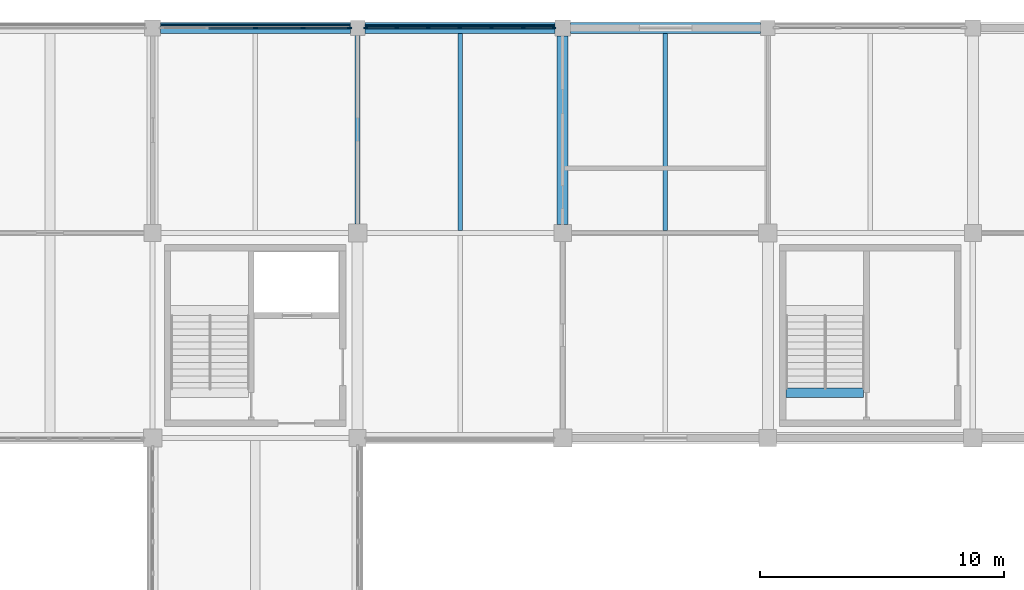
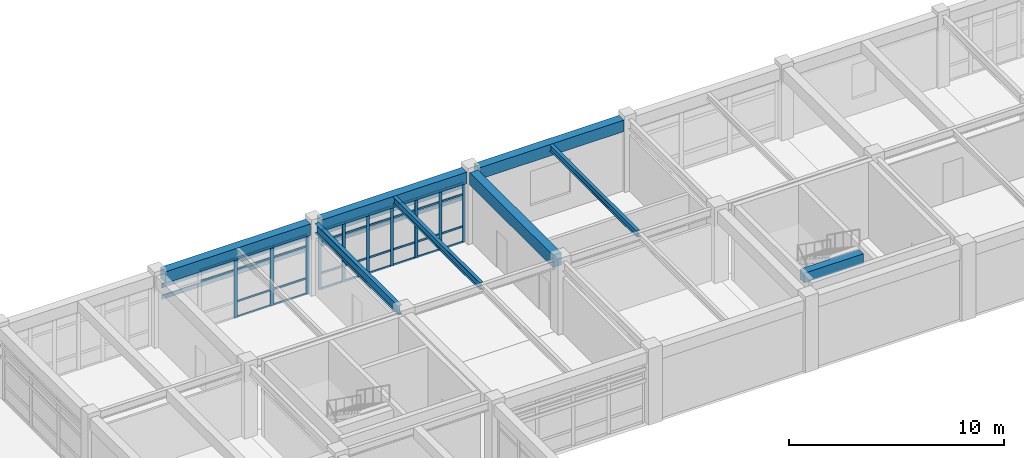
# One storey, part 14 of 40: 48 members, 8 beams, 2 elements without a shape of their own.
"""IFC4 building model written with IfcOpenShell, lengths in metres."""

from ifc_helpers import new_model, si_unit, direction, frame, origin, origin_2d, place, context, subcontext, project, spatial, rectangle, i_section, extrude, material, layer, layer_set, material_profile, profile_set, type_object, element, aggregate, save


model = new_model("IFC4")

# Units and contexts
model_context = context("Model", 3, precision=1e-05, world=origin(), true_north=direction((0.0, 1.0)))
body_context = subcontext(model_context, "Body", "Model", "MODEL_VIEW")
ifc_project = project(units=[si_unit("LENGTHUNIT", "METRE"), si_unit("AREAUNIT", "SQUARE_METRE"), si_unit("VOLUMEUNIT", "CUBIC_METRE"), si_unit("PLANEANGLEUNIT", "RADIAN"), si_unit("MASSUNIT", "GRAM", prefix="KILO")], contexts=[model_context])

# Site, building, storey
site_placement = place(None, origin())
site = spatial("IfcSite", under=ifc_project, at=site_placement, CompositionType="ELEMENT")
building_placement = place(site_placement, origin())
building = spatial("IfcBuilding", under=site, at=building_placement, Name="Porcellanite Civic Hall", CompositionType="ELEMENT")
storey_placement = place(building_placement, frame((0.0, 0.0, 19.080078125)))
storey = spatial("IfcBuildingStorey", under=building, at=storey_placement, Name="L04", CompositionType="ELEMENT", Elevation=19.080078125)

# Beams
ifc_material_1 = material(Name="Concrete N50 (50 MPa)", Category="concrete")
ifc_material_profile_1 = material_profile(ifc_material_1, rectangle(XDim=0.39990234375, YDim=0.550048828125, at=origin_2d()), Name="RC-400x550")
ifc_profile_set_1 = profile_set([ifc_material_profile_1], Name="Concrete N50 (50 MPa)")
beam_type_1 = type_object("IfcBeamType", Name="BM-RC550", PredefinedType="JOIST", material=ifc_profile_set_1)
beam_1_placement = place(storey_placement, frame((76.340576171875, 102.64990234375, 3.794921875), z_axis=(1.0, 0.0, 0.0), x_axis=(0.0, 1.0, 0.0)))
element("IfcBeam", 1, at=beam_1_placement, inside=storey, type_object=beam_type_1, Name="Stair header beam S9 L04", PredefinedType="JOIST", context=body_context, shape_type="SweptSolid", body=[
    extrude(rectangle(XDim=0.39990234375, YDim=0.550048828125, at=origin_2d()), origin(), (0.0, 0.0, 1.0), 3.178955078125),
])
ifc_material_2 = material(Name="Concrete N50 (50 MPa)", Category="concrete")
ifc_material_profile_2 = material_profile(ifc_material_2, rectangle(XDim=0.449951171875, YDim=0.64990234375, at=origin_2d()), Name="RC-450x650")
ifc_profile_set_2 = profile_set([ifc_material_profile_2], Name="Concrete N50 (50 MPa)")
beam_type_2 = type_object("IfcBeamType", Name="BM-RC650", PredefinedType="SPANDREL", material=ifc_profile_set_2)
for number, where, z_axis, x_axis, name in (
    (2, (50.724609375, 117.60009765625, 3.744873046875), (1.0, 0.0, 0.0), (0.0, 1.0, 0.0), "Beam X L04 7-15"),
    (3, (59.099609375, 117.60009765625, 3.744873046875), (1.0, 0.0, 0.0), (0.0, 1.0, 0.0), "Beam X L04 8-15"),
):
    element("IfcBeam", number, at=place(storey_placement, frame(where, z_axis=z_axis, x_axis=x_axis)), inside=storey, type_object=beam_type_2, Name=name, PredefinedType="SPANDREL", context=body_context, shape_type="SweptSolid", body=[
        extrude(rectangle(XDim=0.449951171875, YDim=0.64990234375, at=origin_2d()), origin(), (0.0, 0.0, 1.0), 7.77587890625),
    ])
beam_2_placement = place(storey_placement, frame((67.5244140625, 117.60009765625, 3.744873046875), z_axis=(1.0, 0.0, 0.0), x_axis=(0.0, 1.0, 0.0)))
element("IfcBeam", 4, at=beam_2_placement, inside=storey, type_object=beam_type_2, Name="Beam X L04 9-15", PredefinedType="SPANDREL", context=body_context, shape_type="SweptSolid", body=[
    extrude(rectangle(XDim=0.449951171875, YDim=0.64990234375, at=origin_2d()), origin(), (0.0, 0.0, 1.0), 7.776123046875),
])
ifc_material_3 = material(Name="Concrete N50 (50 MPa)", Category="concrete")
ifc_material_profile_3 = material_profile(ifc_material_3, rectangle(XDim=0.449951171875, YDim=0.699951171875, at=origin_2d()), Name="RC-450x700")
ifc_profile_set_3 = profile_set([ifc_material_profile_3], Name="Concrete N50 (50 MPa)")
beam_type_3 = type_object("IfcBeamType", Name="BM-RC700", PredefinedType="BEAM", material=ifc_profile_set_3)
beam_3_placement = place(storey_placement, frame((67.199951171875, 109.549560546875, 3.719970703125), z_axis=(0.0, 1.0, 0.0), x_axis=(-1.0, 0.0, 0.0)))
element("IfcBeam", 5, at=beam_3_placement, inside=storey, type_object=beam_type_3, Name="Beam Y L04 9-14", PredefinedType="BEAM", context=body_context, shape_type="SweptSolid", body=[
    extrude(rectangle(XDim=0.449951171875, YDim=0.699951171875, at=origin_2d()), origin(), (0.0, 0.0, 1.0), 7.725830078125),
])

# Curtain wall, members
ifc_material_4 = material(Name="Anodised aluminium and solar laminated glass", Category="aluminium")
ifc_layer_1 = layer(ifc_material_4, 0.179931640625)
ifc_layer_set_1 = layer_set([ifc_layer_1], Name="Anodised aluminium and solar laminated glass")
curtain_wall_type_1 = type_object("IfcCurtainWallType", Name="CW-SYS04", PredefinedType="NOTDEFINED", material=ifc_layer_set_1)
curtain_wall_1_placement = place(storey_placement, origin())
curtain_wall_1 = element("IfcCurtainWall", 6, at=curtain_wall_1_placement, inside=storey, type_object=curtain_wall_type_1, Name="Curtain wall CW-247", PredefinedType="NOTDEFINED")
ifc_material_5 = material(Name="Anodised aluminium 6063-T6", Category="aluminium")
ifc_material_profile_4 = material_profile(ifc_material_5, rectangle(XDim=0.074951171875, YDim=0.18994140625, at=origin_2d()), Name="AL-75x190")
ifc_profile_set_4 = profile_set([ifc_material_profile_4], Name="Anodised aluminium 6063-T6")
member_type_1 = type_object("IfcMemberType", Name="CWM-04", PredefinedType="MULLION", material=ifc_profile_set_4)
member_1_placement = place(storey_placement, frame((54.612548828125, 117.60009765625, 0.0), z_axis=(0.0, 0.0, 1.0), x_axis=(0.0, 1.0, 0.0)))
member_1 = element("IfcMember", 7, at=member_1_placement, type_object=member_type_1, Name="CW-247 mullion 3", PredefinedType="MULLION", context=body_context, shape_type="SweptSolid", body=[
    extrude(rectangle(XDim=0.074951171875, YDim=0.18994140625, at=origin_2d()), origin(), (0.0, 0.0, 1.0), 3.369873046875),
])
member_2_placement = place(storey_placement, frame((56.5556640625, 117.60009765625, 0.0), z_axis=(0.0, 0.0, 1.0), x_axis=(0.0, 1.0, 0.0)))
member_2 = element("IfcMember", 8, at=member_2_placement, type_object=member_type_1, Name="CW-247 mullion 4", PredefinedType="MULLION", context=body_context, shape_type="SweptSolid", body=[
    extrude(rectangle(XDim=0.074951171875, YDim=0.18994140625, at=origin_2d()), origin(), (0.0, 0.0, 1.0), 3.369873046875),
])
member_3_placement = place(storey_placement, frame((58.46142578125, 117.60009765625, 0.0), z_axis=(0.0, 0.0, 1.0), x_axis=(0.0, 1.0, 0.0)))
member_3 = element("IfcMember", 9, at=member_3_placement, type_object=member_type_1, Name="CW-247 mullion 5", PredefinedType="MULLION", context=body_context, shape_type="SweptSolid", body=[
    extrude(rectangle(XDim=0.074951171875, YDim=0.18994140625, at=origin_2d()), origin(), (0.0, 0.0, 1.0), 3.369873046875),
])

ifc_material_6 = material(Name="Anodised aluminium and solar laminated glass", Category="aluminium")
ifc_layer_2 = layer(ifc_material_6, 0.179931640625)
ifc_layer_set_2 = layer_set([ifc_layer_2], Name="Anodised aluminium and solar laminated glass")
curtain_wall_type_2 = type_object("IfcCurtainWallType", Name="CW-SYS07", PredefinedType="NOTDEFINED", material=ifc_layer_set_2)
curtain_wall_2_placement = place(storey_placement, origin())
curtain_wall_2 = element("IfcCurtainWall", 10, at=curtain_wall_2_placement, inside=storey, type_object=curtain_wall_type_2, Name="Curtain wall CW-249", PredefinedType="NOTDEFINED")
ifc_material_7 = material(Name="Anodised aluminium 6063-T6", Category="aluminium")
ifc_material_profile_5 = material_profile(ifc_material_7, rectangle(XDim=0.06005859375, YDim=0.159912109375, at=origin_2d()), Name="AL-60x160")
ifc_profile_set_5 = profile_set([ifc_material_profile_5], Name="Anodised aluminium 6063-T6")
member_type_2 = type_object("IfcMemberType", Name="CWM-07", PredefinedType="MULLION", material=ifc_profile_set_5)
member_4_placement = place(storey_placement, frame((59.131103515625, 117.60009765625, 0.0), z_axis=(0.0, 0.0, 1.0), x_axis=(0.0, 1.0, 0.0)))
member_4 = element("IfcMember", 11, at=member_4_placement, type_object=member_type_2, Name="CW-249 mullion 1", PredefinedType="MULLION", context=body_context, shape_type="SweptSolid", body=[
    extrude(rectangle(XDim=0.06005859375, YDim=0.159912109375, at=origin_2d()), origin(), (0.0, 0.0, 1.0), 3.369873046875),
])
member_5_placement = place(storey_placement, frame((60.396484375, 117.60009765625, 0.0), z_axis=(0.0, 0.0, 1.0), x_axis=(0.0, 1.0, 0.0)))
member_5 = element("IfcMember", 12, at=member_5_placement, type_object=member_type_2, Name="CW-249 mullion 2", PredefinedType="MULLION", context=body_context, shape_type="SweptSolid", body=[
    extrude(rectangle(XDim=0.06005859375, YDim=0.159912109375, at=origin_2d()), origin(), (0.0, 0.0, 1.0), 3.369873046875),
])
member_6_placement = place(storey_placement, frame((61.69189453125, 117.60009765625, 0.0), z_axis=(0.0, 0.0, 1.0), x_axis=(0.0, 1.0, 0.0)))
member_6 = element("IfcMember", 13, at=member_6_placement, type_object=member_type_2, Name="CW-249 mullion 3", PredefinedType="MULLION", context=body_context, shape_type="SweptSolid", body=[
    extrude(rectangle(XDim=0.06005859375, YDim=0.159912109375, at=origin_2d()), origin(), (0.0, 0.0, 1.0), 3.369873046875),
])
member_7_placement = place(storey_placement, frame((62.987548828125, 117.60009765625, 0.0), z_axis=(0.0, 0.0, 1.0), x_axis=(0.0, 1.0, 0.0)))
member_7 = element("IfcMember", 14, at=member_7_placement, type_object=member_type_2, Name="CW-249 mullion 4", PredefinedType="MULLION", context=body_context, shape_type="SweptSolid", body=[
    extrude(rectangle(XDim=0.06005859375, YDim=0.159912109375, at=origin_2d()), origin(), (0.0, 0.0, 1.0), 3.369873046875),
])
member_8_placement = place(storey_placement, frame((64.282958984375, 117.60009765625, 0.0), z_axis=(0.0, 0.0, 1.0), x_axis=(0.0, 1.0, 0.0)))
member_8 = element("IfcMember", 15, at=member_8_placement, type_object=member_type_2, Name="CW-249 mullion 5", PredefinedType="MULLION", context=body_context, shape_type="SweptSolid", body=[
    extrude(rectangle(XDim=0.06005859375, YDim=0.159912109375, at=origin_2d()), origin(), (0.0, 0.0, 1.0), 3.369873046875),
])
member_9_placement = place(storey_placement, frame((65.57861328125, 117.60009765625, 0.0), z_axis=(0.0, 0.0, 1.0), x_axis=(0.0, 1.0, 0.0)))
member_9 = element("IfcMember", 16, at=member_9_placement, type_object=member_type_2, Name="CW-249 mullion 6", PredefinedType="MULLION", context=body_context, shape_type="SweptSolid", body=[
    extrude(rectangle(XDim=0.06005859375, YDim=0.159912109375, at=origin_2d()), origin(), (0.0, 0.0, 1.0), 3.369873046875),
])
member_10_placement = place(storey_placement, frame((66.843994140625, 117.60009765625, 0.0), z_axis=(0.0, 0.0, 1.0), x_axis=(0.0, 1.0, 0.0)))
member_10 = element("IfcMember", 17, at=member_10_placement, type_object=member_type_2, Name="CW-249 mullion 7", PredefinedType="MULLION", context=body_context, shape_type="SweptSolid", body=[
    extrude(rectangle(XDim=0.06005859375, YDim=0.159912109375, at=origin_2d()), origin(), (0.0, 0.0, 1.0), 3.369873046875),
])

# Member
ifc_material_8 = material(Name="Anodised aluminium 6063-T6", Category="aluminium")
ifc_material_profile_6 = material_profile(ifc_material_8, rectangle(XDim=0.054931640625, YDim=0.10009765625, at=origin_2d()), Name="AL-55x100")
ifc_profile_set_6 = profile_set([ifc_material_profile_6], Name="Anodised aluminium 6063-T6")
member_type_3 = type_object("IfcMemberType", Name="CWT-05", PredefinedType="USERDEFINED", material=ifc_profile_set_6)
member_11_placement = place(storey_placement, frame((52.706787109375, 117.60009765625, 2.719970703125), z_axis=(1.0, 0.0, 0.0), x_axis=(0.0, 1.0, 0.0)))
member_11 = element("IfcMember", 18, at=member_11_placement, type_object=member_type_3, Name="CW-247 transom 2.3", ObjectType="TRANSOM", PredefinedType="USERDEFINED", context=body_context, shape_type="SweptSolid", body=[
    extrude(rectangle(XDim=0.054931640625, YDim=0.10009765625, at=origin_2d()), origin(), (0.0, 0.0, 1.0), 1.8681640625),
])

member_12_placement = place(storey_placement, frame((52.706787109375, 117.60009765625, 3.342529296875), z_axis=(1.0, 0.0, 0.0), x_axis=(0.0, 1.0, 0.0)))
member_12 = element("IfcMember", 19, at=member_12_placement, type_object=member_type_3, Name="CW-247 transom 2.4", ObjectType="TRANSOM", PredefinedType="USERDEFINED", context=body_context, shape_type="SweptSolid", body=[
    extrude(rectangle(XDim=0.054931640625, YDim=0.10009765625, at=origin_2d()), origin(), (0.0, 0.0, 1.0), 1.8681640625),
])

member_13_placement = place(storey_placement, frame((54.64990234375, 117.60009765625, 0.02734375), z_axis=(1.0, 0.0, 0.0), x_axis=(0.0, 1.0, 0.0)))
member_13 = element("IfcMember", 20, at=member_13_placement, type_object=member_type_3, Name="CW-247 transom 3.1", ObjectType="TRANSOM", PredefinedType="USERDEFINED", context=body_context, shape_type="SweptSolid", body=[
    extrude(rectangle(XDim=0.054931640625, YDim=0.10009765625, at=origin_2d()), origin(), (0.0, 0.0, 1.0), 1.868408203125),
])

member_14_placement = place(storey_placement, frame((54.64990234375, 117.60009765625, 0.89990234375), z_axis=(1.0, 0.0, 0.0), x_axis=(0.0, 1.0, 0.0)))
member_14 = element("IfcMember", 21, at=member_14_placement, type_object=member_type_3, Name="CW-247 transom 3.2", ObjectType="TRANSOM", PredefinedType="USERDEFINED", context=body_context, shape_type="SweptSolid", body=[
    extrude(rectangle(XDim=0.054931640625, YDim=0.10009765625, at=origin_2d()), origin(), (0.0, 0.0, 1.0), 1.868408203125),
])

member_15_placement = place(storey_placement, frame((54.64990234375, 117.60009765625, 2.719970703125), z_axis=(1.0, 0.0, 0.0), x_axis=(0.0, 1.0, 0.0)))
member_15 = element("IfcMember", 22, at=member_15_placement, type_object=member_type_3, Name="CW-247 transom 3.3", ObjectType="TRANSOM", PredefinedType="USERDEFINED", context=body_context, shape_type="SweptSolid", body=[
    extrude(rectangle(XDim=0.054931640625, YDim=0.10009765625, at=origin_2d()), origin(), (0.0, 0.0, 1.0), 1.868408203125),
])

member_16_placement = place(storey_placement, frame((54.64990234375, 117.60009765625, 3.342529296875), z_axis=(1.0, 0.0, 0.0), x_axis=(0.0, 1.0, 0.0)))
member_16 = element("IfcMember", 23, at=member_16_placement, type_object=member_type_3, Name="CW-247 transom 3.4", ObjectType="TRANSOM", PredefinedType="USERDEFINED", context=body_context, shape_type="SweptSolid", body=[
    extrude(rectangle(XDim=0.054931640625, YDim=0.10009765625, at=origin_2d()), origin(), (0.0, 0.0, 1.0), 1.868408203125),
])

member_17_placement = place(storey_placement, frame((56.59326171875, 117.60009765625, 0.02734375), z_axis=(1.0, 0.0, 0.0), x_axis=(0.0, 1.0, 0.0)))
member_17 = element("IfcMember", 24, at=member_17_placement, type_object=member_type_3, Name="CW-247 transom 4.1", ObjectType="TRANSOM", PredefinedType="USERDEFINED", context=body_context, shape_type="SweptSolid", body=[
    extrude(rectangle(XDim=0.054931640625, YDim=0.10009765625, at=origin_2d()), origin(), (0.0, 0.0, 1.0), 1.830810546875),
])

member_18_placement = place(storey_placement, frame((56.59326171875, 117.60009765625, 0.89990234375), z_axis=(1.0, 0.0, 0.0), x_axis=(0.0, 1.0, 0.0)))
member_18 = element("IfcMember", 25, at=member_18_placement, type_object=member_type_3, Name="CW-247 transom 4.2", ObjectType="TRANSOM", PredefinedType="USERDEFINED", context=body_context, shape_type="SweptSolid", body=[
    extrude(rectangle(XDim=0.054931640625, YDim=0.10009765625, at=origin_2d()), origin(), (0.0, 0.0, 1.0), 1.830810546875),
])

member_19_placement = place(storey_placement, frame((56.59326171875, 117.60009765625, 2.719970703125), z_axis=(1.0, 0.0, 0.0), x_axis=(0.0, 1.0, 0.0)))
member_19 = element("IfcMember", 26, at=member_19_placement, type_object=member_type_3, Name="CW-247 transom 4.3", ObjectType="TRANSOM", PredefinedType="USERDEFINED", context=body_context, shape_type="SweptSolid", body=[
    extrude(rectangle(XDim=0.054931640625, YDim=0.10009765625, at=origin_2d()), origin(), (0.0, 0.0, 1.0), 1.830810546875),
])

member_20_placement = place(storey_placement, frame((56.59326171875, 117.60009765625, 3.342529296875), z_axis=(1.0, 0.0, 0.0), x_axis=(0.0, 1.0, 0.0)))
member_20 = element("IfcMember", 27, at=member_20_placement, type_object=member_type_3, Name="CW-247 transom 4.4", ObjectType="TRANSOM", PredefinedType="USERDEFINED", context=body_context, shape_type="SweptSolid", body=[
    extrude(rectangle(XDim=0.054931640625, YDim=0.10009765625, at=origin_2d()), origin(), (0.0, 0.0, 1.0), 1.830810546875),
])

aggregate(curtain_wall_1, [member_1, member_2, member_3, member_11, member_12, member_13, member_14, member_15, member_16, member_17, member_18, member_19, member_20])

ifc_material_9 = material(Name="Anodised aluminium 6063-T6", Category="aluminium")
ifc_material_profile_7 = material_profile(ifc_material_9, rectangle(XDim=0.050048828125, YDim=0.110107421875, at=origin_2d()), Name="AL-50x110")
ifc_profile_set_7 = profile_set([ifc_material_profile_7], Name="Anodised aluminium 6063-T6")
member_type_4 = type_object("IfcMemberType", Name="CWT-07", PredefinedType="USERDEFINED", material=ifc_profile_set_7)
member_21_placement = place(storey_placement, frame((59.160888671875, 117.60009765625, 0.02490234375), z_axis=(1.0, 0.0, 0.0), x_axis=(0.0, 1.0, 0.0)))
member_21 = element("IfcMember", 28, at=member_21_placement, type_object=member_type_4, Name="CW-249 transom 1.1", ObjectType="TRANSOM", PredefinedType="USERDEFINED", context=body_context, shape_type="SweptSolid", body=[
    extrude(rectangle(XDim=0.050048828125, YDim=0.110107421875, at=origin_2d()), origin(), (0.0, 0.0, 1.0), 1.20556640625),
])

member_22_placement = place(storey_placement, frame((59.160888671875, 117.60009765625, 0.89990234375), z_axis=(1.0, 0.0, 0.0), x_axis=(0.0, 1.0, 0.0)))
member_22 = element("IfcMember", 29, at=member_22_placement, type_object=member_type_4, Name="CW-249 transom 1.2", ObjectType="TRANSOM", PredefinedType="USERDEFINED", context=body_context, shape_type="SweptSolid", body=[
    extrude(rectangle(XDim=0.050048828125, YDim=0.110107421875, at=origin_2d()), origin(), (0.0, 0.0, 1.0), 1.20556640625),
])

member_23_placement = place(storey_placement, frame((59.160888671875, 117.60009765625, 2.719970703125), z_axis=(1.0, 0.0, 0.0), x_axis=(0.0, 1.0, 0.0)))
member_23 = element("IfcMember", 30, at=member_23_placement, type_object=member_type_4, Name="CW-249 transom 1.3", ObjectType="TRANSOM", PredefinedType="USERDEFINED", context=body_context, shape_type="SweptSolid", body=[
    extrude(rectangle(XDim=0.050048828125, YDim=0.110107421875, at=origin_2d()), origin(), (0.0, 0.0, 1.0), 1.20556640625),
])

member_24_placement = place(storey_placement, frame((59.160888671875, 117.60009765625, 3.344970703125), z_axis=(1.0, 0.0, 0.0), x_axis=(0.0, 1.0, 0.0)))
member_24 = element("IfcMember", 31, at=member_24_placement, type_object=member_type_4, Name="CW-249 transom 1.4", ObjectType="TRANSOM", PredefinedType="USERDEFINED", context=body_context, shape_type="SweptSolid", body=[
    extrude(rectangle(XDim=0.050048828125, YDim=0.110107421875, at=origin_2d()), origin(), (0.0, 0.0, 1.0), 1.20556640625),
])

member_25_placement = place(storey_placement, frame((60.426513671875, 117.60009765625, 0.02490234375), z_axis=(1.0, 0.0, 0.0), x_axis=(0.0, 1.0, 0.0)))
member_25 = element("IfcMember", 32, at=member_25_placement, type_object=member_type_4, Name="CW-249 transom 2.1", ObjectType="TRANSOM", PredefinedType="USERDEFINED", context=body_context, shape_type="SweptSolid", body=[
    extrude(rectangle(XDim=0.050048828125, YDim=0.110107421875, at=origin_2d()), origin(), (0.0, 0.0, 1.0), 1.235595703125),
])

member_26_placement = place(storey_placement, frame((60.426513671875, 117.60009765625, 0.89990234375), z_axis=(1.0, 0.0, 0.0), x_axis=(0.0, 1.0, 0.0)))
member_26 = element("IfcMember", 33, at=member_26_placement, type_object=member_type_4, Name="CW-249 transom 2.2", ObjectType="TRANSOM", PredefinedType="USERDEFINED", context=body_context, shape_type="SweptSolid", body=[
    extrude(rectangle(XDim=0.050048828125, YDim=0.110107421875, at=origin_2d()), origin(), (0.0, 0.0, 1.0), 1.235595703125),
])

member_27_placement = place(storey_placement, frame((60.426513671875, 117.60009765625, 2.719970703125), z_axis=(1.0, 0.0, 0.0), x_axis=(0.0, 1.0, 0.0)))
member_27 = element("IfcMember", 34, at=member_27_placement, type_object=member_type_4, Name="CW-249 transom 2.3", ObjectType="TRANSOM", PredefinedType="USERDEFINED", context=body_context, shape_type="SweptSolid", body=[
    extrude(rectangle(XDim=0.050048828125, YDim=0.110107421875, at=origin_2d()), origin(), (0.0, 0.0, 1.0), 1.235595703125),
])

member_28_placement = place(storey_placement, frame((60.426513671875, 117.60009765625, 3.344970703125), z_axis=(1.0, 0.0, 0.0), x_axis=(0.0, 1.0, 0.0)))
member_28 = element("IfcMember", 35, at=member_28_placement, type_object=member_type_4, Name="CW-249 transom 2.4", ObjectType="TRANSOM", PredefinedType="USERDEFINED", context=body_context, shape_type="SweptSolid", body=[
    extrude(rectangle(XDim=0.050048828125, YDim=0.110107421875, at=origin_2d()), origin(), (0.0, 0.0, 1.0), 1.235595703125),
])

member_29_placement = place(storey_placement, frame((61.721923828125, 117.60009765625, 0.02490234375), z_axis=(1.0, 0.0, 0.0), x_axis=(0.0, 1.0, 0.0)))
member_29 = element("IfcMember", 36, at=member_29_placement, type_object=member_type_4, Name="CW-249 transom 3.1", ObjectType="TRANSOM", PredefinedType="USERDEFINED", context=body_context, shape_type="SweptSolid", body=[
    extrude(rectangle(XDim=0.050048828125, YDim=0.110107421875, at=origin_2d()), origin(), (0.0, 0.0, 1.0), 1.235595703125),
])

member_30_placement = place(storey_placement, frame((61.721923828125, 117.60009765625, 0.89990234375), z_axis=(1.0, 0.0, 0.0), x_axis=(0.0, 1.0, 0.0)))
member_30 = element("IfcMember", 37, at=member_30_placement, type_object=member_type_4, Name="CW-249 transom 3.2", ObjectType="TRANSOM", PredefinedType="USERDEFINED", context=body_context, shape_type="SweptSolid", body=[
    extrude(rectangle(XDim=0.050048828125, YDim=0.110107421875, at=origin_2d()), origin(), (0.0, 0.0, 1.0), 1.235595703125),
])

member_31_placement = place(storey_placement, frame((61.721923828125, 117.60009765625, 2.719970703125), z_axis=(1.0, 0.0, 0.0), x_axis=(0.0, 1.0, 0.0)))
member_31 = element("IfcMember", 38, at=member_31_placement, type_object=member_type_4, Name="CW-249 transom 3.3", ObjectType="TRANSOM", PredefinedType="USERDEFINED", context=body_context, shape_type="SweptSolid", body=[
    extrude(rectangle(XDim=0.050048828125, YDim=0.110107421875, at=origin_2d()), origin(), (0.0, 0.0, 1.0), 1.235595703125),
])

member_32_placement = place(storey_placement, frame((61.721923828125, 117.60009765625, 3.344970703125), z_axis=(1.0, 0.0, 0.0), x_axis=(0.0, 1.0, 0.0)))
member_32 = element("IfcMember", 39, at=member_32_placement, type_object=member_type_4, Name="CW-249 transom 3.4", ObjectType="TRANSOM", PredefinedType="USERDEFINED", context=body_context, shape_type="SweptSolid", body=[
    extrude(rectangle(XDim=0.050048828125, YDim=0.110107421875, at=origin_2d()), origin(), (0.0, 0.0, 1.0), 1.235595703125),
])

member_33_placement = place(storey_placement, frame((63.017578125, 117.60009765625, 0.02490234375), z_axis=(1.0, 0.0, 0.0), x_axis=(0.0, 1.0, 0.0)))
member_33 = element("IfcMember", 40, at=member_33_placement, type_object=member_type_4, Name="CW-249 transom 4.1", ObjectType="TRANSOM", PredefinedType="USERDEFINED", context=body_context, shape_type="SweptSolid", body=[
    extrude(rectangle(XDim=0.050048828125, YDim=0.110107421875, at=origin_2d()), origin(), (0.0, 0.0, 1.0), 1.2353515625),
])

member_34_placement = place(storey_placement, frame((63.017578125, 117.60009765625, 0.89990234375), z_axis=(1.0, 0.0, 0.0), x_axis=(0.0, 1.0, 0.0)))
member_34 = element("IfcMember", 41, at=member_34_placement, type_object=member_type_4, Name="CW-249 transom 4.2", ObjectType="TRANSOM", PredefinedType="USERDEFINED", context=body_context, shape_type="SweptSolid", body=[
    extrude(rectangle(XDim=0.050048828125, YDim=0.110107421875, at=origin_2d()), origin(), (0.0, 0.0, 1.0), 1.2353515625),
])

member_35_placement = place(storey_placement, frame((63.017578125, 117.60009765625, 2.719970703125), z_axis=(1.0, 0.0, 0.0), x_axis=(0.0, 1.0, 0.0)))
member_35 = element("IfcMember", 42, at=member_35_placement, type_object=member_type_4, Name="CW-249 transom 4.3", ObjectType="TRANSOM", PredefinedType="USERDEFINED", context=body_context, shape_type="SweptSolid", body=[
    extrude(rectangle(XDim=0.050048828125, YDim=0.110107421875, at=origin_2d()), origin(), (0.0, 0.0, 1.0), 1.2353515625),
])

member_36_placement = place(storey_placement, frame((63.017578125, 117.60009765625, 3.344970703125), z_axis=(1.0, 0.0, 0.0), x_axis=(0.0, 1.0, 0.0)))
member_36 = element("IfcMember", 43, at=member_36_placement, type_object=member_type_4, Name="CW-249 transom 4.4", ObjectType="TRANSOM", PredefinedType="USERDEFINED", context=body_context, shape_type="SweptSolid", body=[
    extrude(rectangle(XDim=0.050048828125, YDim=0.110107421875, at=origin_2d()), origin(), (0.0, 0.0, 1.0), 1.2353515625),
])

member_37_placement = place(storey_placement, frame((64.31298828125, 117.60009765625, 0.02490234375), z_axis=(1.0, 0.0, 0.0), x_axis=(0.0, 1.0, 0.0)))
member_37 = element("IfcMember", 44, at=member_37_placement, type_object=member_type_4, Name="CW-249 transom 5.1", ObjectType="TRANSOM", PredefinedType="USERDEFINED", context=body_context, shape_type="SweptSolid", body=[
    extrude(rectangle(XDim=0.050048828125, YDim=0.110107421875, at=origin_2d()), origin(), (0.0, 0.0, 1.0), 1.235595703125),
])

member_38_placement = place(storey_placement, frame((64.31298828125, 117.60009765625, 0.89990234375), z_axis=(1.0, 0.0, 0.0), x_axis=(0.0, 1.0, 0.0)))
member_38 = element("IfcMember", 45, at=member_38_placement, type_object=member_type_4, Name="CW-249 transom 5.2", ObjectType="TRANSOM", PredefinedType="USERDEFINED", context=body_context, shape_type="SweptSolid", body=[
    extrude(rectangle(XDim=0.050048828125, YDim=0.110107421875, at=origin_2d()), origin(), (0.0, 0.0, 1.0), 1.235595703125),
])

member_39_placement = place(storey_placement, frame((64.31298828125, 117.60009765625, 2.719970703125), z_axis=(1.0, 0.0, 0.0), x_axis=(0.0, 1.0, 0.0)))
member_39 = element("IfcMember", 46, at=member_39_placement, type_object=member_type_4, Name="CW-249 transom 5.3", ObjectType="TRANSOM", PredefinedType="USERDEFINED", context=body_context, shape_type="SweptSolid", body=[
    extrude(rectangle(XDim=0.050048828125, YDim=0.110107421875, at=origin_2d()), origin(), (0.0, 0.0, 1.0), 1.235595703125),
])

member_40_placement = place(storey_placement, frame((64.31298828125, 117.60009765625, 3.344970703125), z_axis=(1.0, 0.0, 0.0), x_axis=(0.0, 1.0, 0.0)))
member_40 = element("IfcMember", 47, at=member_40_placement, type_object=member_type_4, Name="CW-249 transom 5.4", ObjectType="TRANSOM", PredefinedType="USERDEFINED", context=body_context, shape_type="SweptSolid", body=[
    extrude(rectangle(XDim=0.050048828125, YDim=0.110107421875, at=origin_2d()), origin(), (0.0, 0.0, 1.0), 1.235595703125),
])

member_41_placement = place(storey_placement, frame((65.6083984375, 117.60009765625, 0.02490234375), z_axis=(1.0, 0.0, 0.0), x_axis=(0.0, 1.0, 0.0)))
member_41 = element("IfcMember", 48, at=member_41_placement, type_object=member_type_4, Name="CW-249 transom 6.1", ObjectType="TRANSOM", PredefinedType="USERDEFINED", context=body_context, shape_type="SweptSolid", body=[
    extrude(rectangle(XDim=0.050048828125, YDim=0.110107421875, at=origin_2d()), origin(), (0.0, 0.0, 1.0), 1.20556640625),
])

member_42_placement = place(storey_placement, frame((65.6083984375, 117.60009765625, 0.89990234375), z_axis=(1.0, 0.0, 0.0), x_axis=(0.0, 1.0, 0.0)))
member_42 = element("IfcMember", 49, at=member_42_placement, type_object=member_type_4, Name="CW-249 transom 6.2", ObjectType="TRANSOM", PredefinedType="USERDEFINED", context=body_context, shape_type="SweptSolid", body=[
    extrude(rectangle(XDim=0.050048828125, YDim=0.110107421875, at=origin_2d()), origin(), (0.0, 0.0, 1.0), 1.20556640625),
])

member_43_placement = place(storey_placement, frame((65.6083984375, 117.60009765625, 2.719970703125), z_axis=(1.0, 0.0, 0.0), x_axis=(0.0, 1.0, 0.0)))
member_43 = element("IfcMember", 50, at=member_43_placement, type_object=member_type_4, Name="CW-249 transom 6.3", ObjectType="TRANSOM", PredefinedType="USERDEFINED", context=body_context, shape_type="SweptSolid", body=[
    extrude(rectangle(XDim=0.050048828125, YDim=0.110107421875, at=origin_2d()), origin(), (0.0, 0.0, 1.0), 1.20556640625),
])

member_44_placement = place(storey_placement, frame((65.6083984375, 117.60009765625, 3.344970703125), z_axis=(1.0, 0.0, 0.0), x_axis=(0.0, 1.0, 0.0)))
member_44 = element("IfcMember", 51, at=member_44_placement, type_object=member_type_4, Name="CW-249 transom 6.4", ObjectType="TRANSOM", PredefinedType="USERDEFINED", context=body_context, shape_type="SweptSolid", body=[
    extrude(rectangle(XDim=0.050048828125, YDim=0.110107421875, at=origin_2d()), origin(), (0.0, 0.0, 1.0), 1.20556640625),
])

aggregate(curtain_wall_2, [member_4, member_5, member_6, member_7, member_8, member_9, member_10, member_21, member_22, member_23, member_24, member_25, member_26, member_27, member_28, member_29, member_30, member_31, member_32, member_33, member_34, member_35, member_36, member_37, member_38, member_39, member_40, member_41, member_42, member_43, member_44])

# Beams
ifc_material_10 = material(Name="Steel Grade 350", Category="steel")
ifc_material_profile_8 = material_profile(ifc_material_10, i_section(OverallWidth=0.172119140625, OverallDepth=0.35888671875, WebThickness=0.008056640625, FlangeThickness=0.012939453125, FilletRadius=0.011474609375, at=origin_2d()), Name="360UB56.7")
ifc_profile_set_8 = profile_set([ifc_material_profile_8], Name="Steel Grade 350")
beam_type_4 = type_object("IfcBeamType", Name="JST-360UB57", PredefinedType="JOIST", material=ifc_profile_set_8)
beam_4_placement = place(storey_placement, frame((71.39990234375, 109.29443359375, 3.890380859375), z_axis=(0.0, 1.0, 0.0), x_axis=(-1.0, 0.0, 0.0)))
element("IfcBeam", 52, at=beam_4_placement, inside=storey, type_object=beam_type_4, Name="Secondary joist L04 9-14", PredefinedType="JOIST", context=body_context, shape_type="SweptSolid", body=[
    extrude(i_section(OverallWidth=0.172119140625, OverallDepth=0.35888671875, WebThickness=0.008056640625, FlangeThickness=0.012939453125, FilletRadius=0.011474609375, at=origin_2d()), origin(), (0.0, 0.0, 1.0), 8.0810546875),
])
ifc_material_11 = material(Name="Steel Grade 350", Category="steel")
ifc_material_profile_9 = material_profile(ifc_material_11, i_section(OverallWidth=0.177978515625, OverallDepth=0.403076171875, WebThickness=0.007568359375, FlangeThickness=0.010986328125, FilletRadius=0.011474609375, at=origin_2d()), Name="410UB53.7")
ifc_profile_set_9 = profile_set([ifc_material_profile_9], Name="Steel Grade 350")
beam_type_5 = type_object("IfcBeamType", Name="JST-410UB54", PredefinedType="JOIST", material=ifc_profile_set_9)
beam_5_placement = place(storey_placement, frame((63.0, 109.29443359375, 3.868408203125), z_axis=(0.0, 1.0, 0.0), x_axis=(-1.0, 0.0, 0.0)))
element("IfcBeam", 53, at=beam_5_placement, inside=storey, type_object=beam_type_5, Name="Secondary joist L04 8-14", PredefinedType="JOIST", context=body_context, shape_type="SweptSolid", body=[
    extrude(i_section(OverallWidth=0.177978515625, OverallDepth=0.403076171875, WebThickness=0.007568359375, FlangeThickness=0.010986328125, FilletRadius=0.011474609375, at=origin_2d()), origin(), (0.0, 0.0, 1.0), 8.0810546875),
])

# Members
ifc_material_12 = material(Name="Fluoropolymer bauxite-red aluminium 6063-T6", Category="aluminium")
ifc_material_profile_10 = material_profile(ifc_material_12, rectangle(XDim=0.06005859375, YDim=0.219970703125, at=origin_2d()), Name="AL-60x220")
ifc_profile_set_10 = profile_set([ifc_material_profile_10], Name="Fluoropolymer bauxite-red aluminium 6063-T6")
member_type_5 = type_object("IfcMemberType", Name="LV-BLD08", PredefinedType="USERDEFINED", material=ifc_profile_set_10)
for number, where, z_axis, x_axis, name in (
    (54, (50.724609375, 117.72705078125, 3.06982421875), (1.0, 0.0, 0.0), (0.0, 1.0, 0.0), "Cyclone sunshade louvre L04 N 6-13 1"),
    (55, (50.724609375, 117.72705078125, 2.419921875), (1.0, 0.0, 0.0), (0.0, 1.0, 0.0), "Cyclone sunshade louvre L04 N 6-13 2"),
):
    element("IfcMember", number, at=place(storey_placement, frame(where, z_axis=z_axis, x_axis=x_axis)), inside=storey, type_object=member_type_5, Name=name, ObjectType="LOUVRE BLADE", PredefinedType="USERDEFINED", context=body_context, shape_type="SweptSolid", body=[
        extrude(rectangle(XDim=0.06005859375, YDim=0.219970703125, at=origin_2d()), origin(), (0.0, 0.0, 1.0), 7.77587890625),
    ])
ifc_material_13 = material(Name="Fluoropolymer bauxite-red aluminium 6063-T6", Category="aluminium")
ifc_material_profile_11 = material_profile(ifc_material_13, rectangle(XDim=0.050048828125, YDim=0.199951171875, at=origin_2d()), Name="AL-50x200")
ifc_profile_set_11 = profile_set([ifc_material_profile_11], Name="Fluoropolymer bauxite-red aluminium 6063-T6")
member_type_6 = type_object("IfcMemberType", Name="LV-BLD10", PredefinedType="USERDEFINED", material=ifc_profile_set_11)
for number, where, z_axis, x_axis, name in (
    (56, (59.099609375, 117.70703125, 3.06982421875), (1.0, 0.0, 0.0), (0.0, 1.0, 0.0), "Cyclone sunshade louvre L04 N 7-13 1"),
    (57, (59.099609375, 117.70703125, 2.419921875), (1.0, 0.0, 0.0), (0.0, 1.0, 0.0), "Cyclone sunshade louvre L04 N 7-13 2"),
):
    element("IfcMember", number, at=place(storey_placement, frame(where, z_axis=z_axis, x_axis=x_axis)), inside=storey, type_object=member_type_6, Name=name, ObjectType="LOUVRE BLADE", PredefinedType="USERDEFINED", context=body_context, shape_type="SweptSolid", body=[
        extrude(rectangle(XDim=0.050048828125, YDim=0.199951171875, at=origin_2d()), origin(), (0.0, 0.0, 1.0), 7.77587890625),
    ])

# Beam
ifc_material_14 = material(Name="Steel Grade 350", Category="steel")
ifc_material_profile_12 = material_profile(ifc_material_14, i_section(OverallWidth=0.208984375, OverallDepth=0.528076171875, WebThickness=0.009521484375, FlangeThickness=0.01318359375, FilletRadius=0.013916015625, at=origin_2d()), Name="530UB82.0")
ifc_profile_set_12 = profile_set([ifc_material_profile_12], Name="Steel Grade 350")
beam_type_6 = type_object("IfcBeamType", Name="RAF-530UB82", PredefinedType="BEAM", material=ifc_profile_set_12)
beam_6_placement = place(storey_placement, frame((58.800048828125, 109.574462890625, 3.805908203125), z_axis=(0.0, 1.0, 0.0), x_axis=(-1.0, 0.0, 0.0)))
element("IfcBeam", 58, at=beam_6_placement, inside=storey, type_object=beam_type_6, Name="Beam Y L04 8-14", PredefinedType="BEAM", context=body_context, shape_type="SweptSolid", body=[
    extrude(i_section(OverallWidth=0.208984375, OverallDepth=0.528076171875, WebThickness=0.009521484375, FlangeThickness=0.01318359375, FilletRadius=0.013916015625, at=origin_2d()), origin(), (0.0, 0.0, 1.0), 7.72607421875),
])

save(model, "model.ifc")
